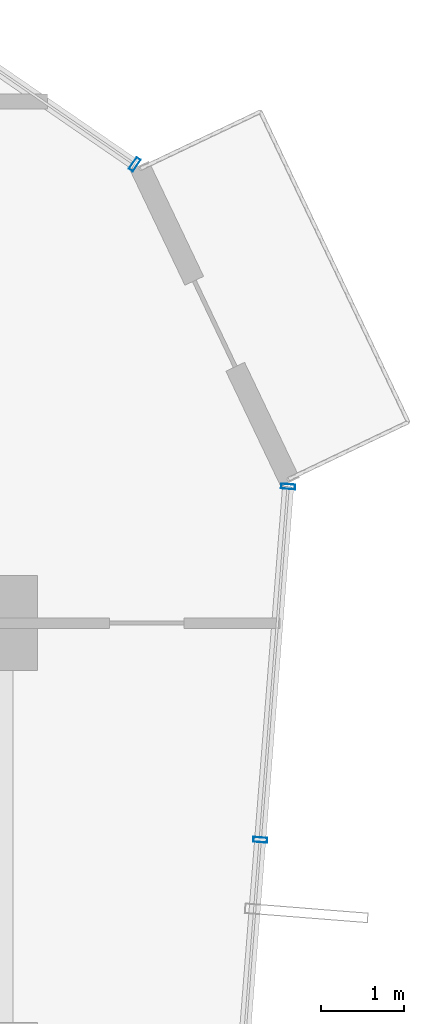
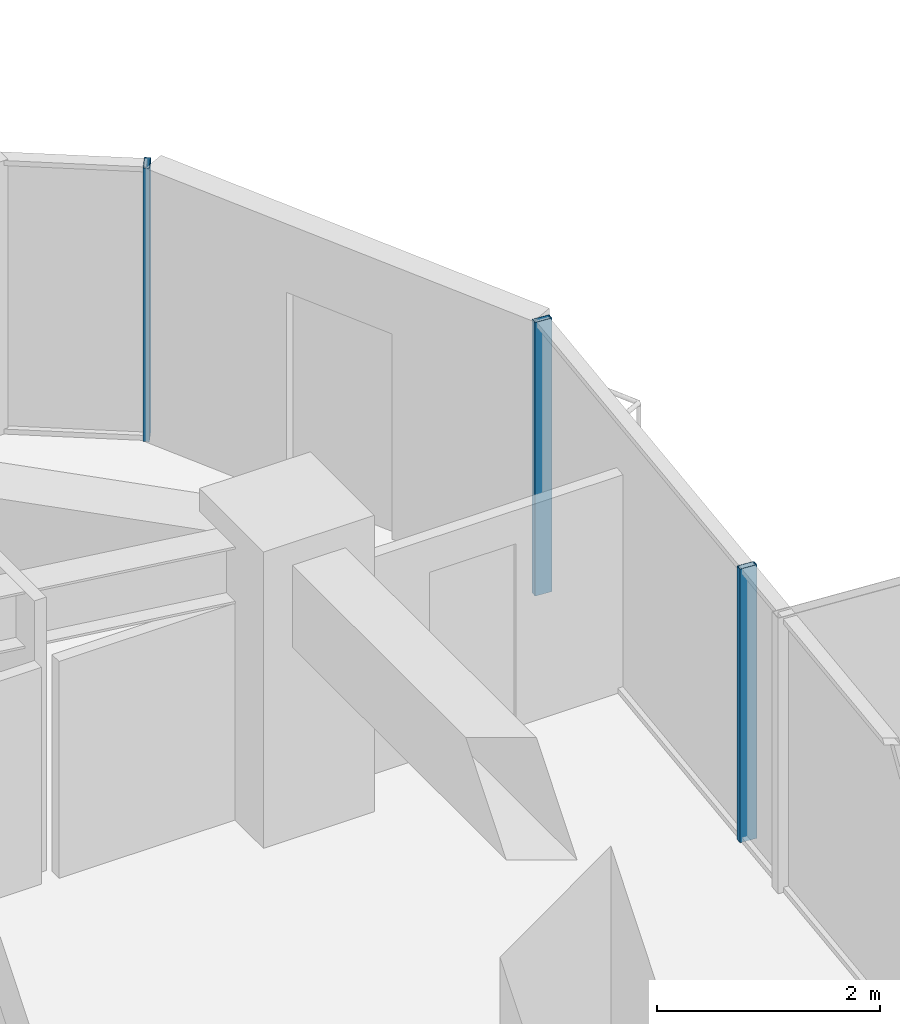
# One storey, part 15 of 30: 3 members, 2 elements without a shape of their own.
"""IFC4 building model written with IfcOpenShell, lengths in metres."""

from ifc_helpers import new_model, si_unit, direction, frame, origin, origin_2d, place, context, subcontext, project, spatial, hollow_rectangle, extrude, source, transform, mapped, material, layer, layer_set, material_profile, profile_set, type_object, element, aggregate, save


model = new_model("IFC4")

# Units and contexts
model_context = context("Model", 3, precision=1e-05, world=origin(), true_north=direction((0.0, 1.0)))
body_context = subcontext(model_context, "Body", "Model", "MODEL_VIEW")
ifc_project = project(units=[si_unit("LENGTHUNIT", "METRE"), si_unit("AREAUNIT", "SQUARE_METRE"), si_unit("VOLUMEUNIT", "CUBIC_METRE"), si_unit("PLANEANGLEUNIT", "RADIAN"), si_unit("MASSUNIT", "GRAM", prefix="KILO")], contexts=[model_context])

# Site, building, storey
site_placement = place(None, origin())
site = spatial("IfcSite", under=ifc_project, at=site_placement, CompositionType="ELEMENT")
building_placement = place(site_placement, origin())
building = spatial("IfcBuilding", under=site, at=building_placement, Name="Veraguas Prism Commons", CompositionType="ELEMENT")
storey_placement = place(building_placement, frame((0.0, 0.0, 113.25)))
storey = spatial("IfcBuildingStorey", under=building, at=storey_placement, Name="L31", CompositionType="ELEMENT", Elevation=113.25)

# Curtain wall, member
ifc_material = material(Name="Anodised aluminium EN AW-6063 T6", Category="aluminium")
ifc_layer = layer(ifc_material, 0.169921875, Name="Unitised Flush Curtain Wall Zone 2", Category="aluminium")
ifc_layer_set = layer_set([ifc_layer], Name="Anodised aluminium EN AW-6063 T6")
curtain_wall_type = type_object("IfcCurtainWallType", Name="Unitised Flush Curtain Wall Zone 2", PredefinedType="NOTDEFINED", material=ifc_layer_set)
curtain_wall_1_placement = place(storey_placement, origin())
curtain_wall_1 = element("IfcCurtainWall", 1, at=curtain_wall_1_placement, inside=storey, type_object=curtain_wall_type, Name="Tower Facade Curtain Wall L31-F1", PredefinedType="NOTDEFINED")
ifc_material_profile = material_profile(ifc_material, hollow_rectangle(XDim=0.06005859375, YDim=0.169921875, WallThickness=0.00390625, at=origin_2d()), Name="AL60X170X4")
ifc_profile_set = profile_set([ifc_material_profile], Name="Anodised aluminium EN AW-6063 T6")
member_type = type_object("IfcMemberType", Name="Curtain Wall Mullion Lower AL 60x170x4", PredefinedType="MULLION", material=ifc_profile_set)
shared_shape = source(origin(), body_context, "Body", "SweptSolid", [
    extrude(hollow_rectangle(XDim=0.06005859375, YDim=0.169921875, WallThickness=0.00390625, at=origin_2d()), origin(), (0.0, 0.0, 1.0), 3.0),
])
member_1_placement = place(storey_placement, frame((41.94580078125, 34.938720703125, 0.0), z_axis=(0.0, 0.0, 1.0), x_axis=(-0.823930403472, 0.566691000664, 0.0)))
member_1 = element("IfcMember", 2, at=member_1_placement, type_object=member_type, Name="CW-Z2 Mullion 1", PredefinedType="MULLION", context=body_context, shape_type="MappedRepresentation", body=[
    mapped(shared_shape, transform((0.0, 0.0, 0.0), scale=1.0)),
])
aggregate(curtain_wall_1, [member_1])

# Curtain wall, members
curtain_wall_2_placement = place(storey_placement, origin())
curtain_wall_2 = element("IfcCurtainWall", 3, at=curtain_wall_2_placement, inside=storey, type_object=curtain_wall_type, Name="Tower Facade Curtain Wall L31-F6", PredefinedType="NOTDEFINED")
member_2_placement = place(storey_placement, frame((43.46240234375, 26.783447265625, 0.0), z_axis=(0.0, 0.0, 1.0), x_axis=(0.078807080738, 0.996889885607, 0.0)))
member_2 = element("IfcMember", 4, at=member_2_placement, type_object=member_type, Name="CW-Z2 Mullion 4", PredefinedType="MULLION", context=body_context, shape_type="MappedRepresentation", body=[
    mapped(shared_shape, transform((0.0, 0.0, 0.0), scale=1.0)),
])
member_3_placement = place(storey_placement, frame((43.799560546875, 31.048828125, 0.0), z_axis=(0.0, 0.0, 1.0), x_axis=(0.078807080738, 0.996889885607, 0.0)))
member_3 = element("IfcMember", 5, at=member_3_placement, type_object=member_type, Name="CW-Z2 Mullion 5", PredefinedType="MULLION", context=body_context, shape_type="MappedRepresentation", body=[
    mapped(shared_shape, transform((0.0, 0.0, 0.0), scale=1.0)),
])
aggregate(curtain_wall_2, [member_2, member_3])

save(model, "model.ifc")
